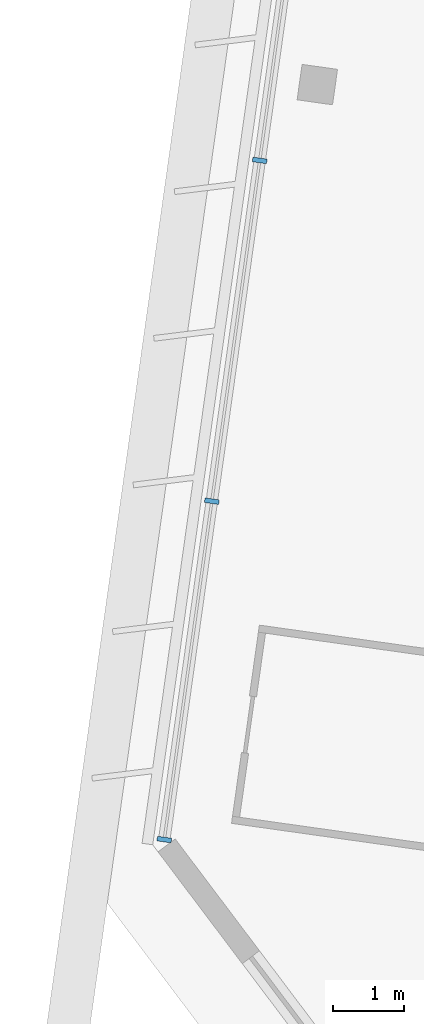
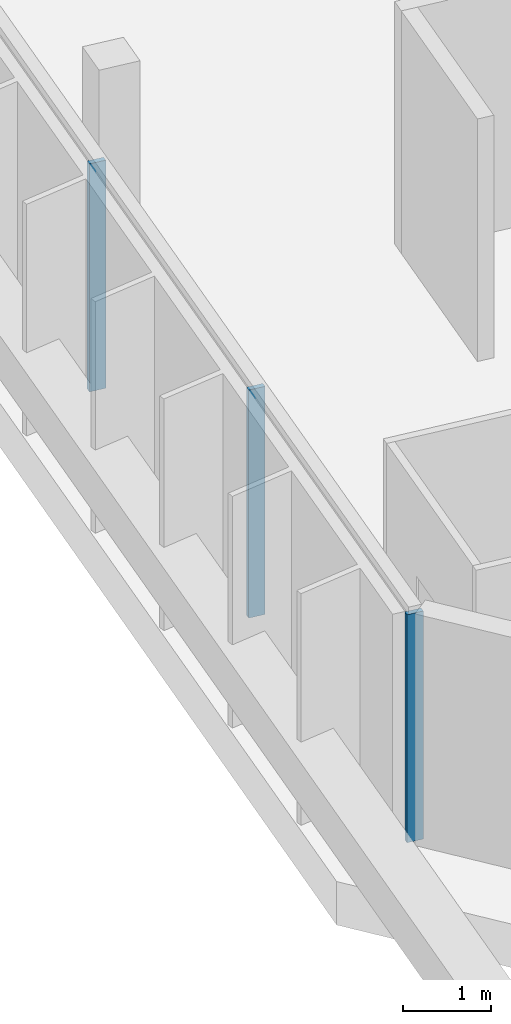
# One storey, part 2 of 26: 3 members, 1 element without a shape of its own.
"""IFC4 building model written with IfcOpenShell, lengths in metres."""

from ifc_helpers import new_model, si_unit, direction, frame, origin, origin_2d, place, context, subcontext, project, spatial, rectangle, extrude, material, material_profile, profile_set, type_object, element, aggregate, save


model = new_model("IFC4")

# Units and contexts
model_context = context("Model", 3, precision=1e-05, world=origin(), true_north=direction((0.0, 1.0)))
body_context = subcontext(model_context, "Body", "Model", "MODEL_VIEW")
ifc_project = project(units=[si_unit("LENGTHUNIT", "METRE"), si_unit("AREAUNIT", "SQUARE_METRE"), si_unit("VOLUMEUNIT", "CUBIC_METRE"), si_unit("PLANEANGLEUNIT", "RADIAN"), si_unit("MASSUNIT", "GRAM", prefix="KILO")], contexts=[model_context])

# Site, building, storey
site_placement = place(None, origin())
site = spatial("IfcSite", under=ifc_project, at=site_placement, CompositionType="ELEMENT")
building_placement = place(site_placement, origin())
building = spatial("IfcBuilding", under=site, at=building_placement, Name="Mirante Cascada Hotel Towers", CompositionType="ELEMENT")
storey_placement = place(building_placement, frame((0.0, 0.0, 228.0)))
storey = spatial("IfcBuildingStorey", under=building, at=storey_placement, Name="L54", CompositionType="ELEMENT", Elevation=228.0)

# Curtain wall, members
ifc_material_1 = material(Name="Aluminium mullion and transom frame with clear laminated glass", Category="aluminium")
curtain_wall_type = type_object("IfcCurtainWallType", Name="End ribbon curtain wall ECW2", PredefinedType="NOTDEFINED", material=ifc_material_1)
curtain_wall_placement = place(storey_placement, origin())
curtain_wall = element("IfcCurtainWall", 1, at=curtain_wall_placement, inside=storey, type_object=curtain_wall_type, Name="Outer end wall T1 L54", PredefinedType="NOTDEFINED")
ifc_material_2 = material(Name="Anodised aluminium extrusion", Category="aluminium")
ifc_material_profile = material_profile(ifc_material_2, rectangle(XDim=0.2, YDim=0.065, at=origin_2d()), Name="ECW2 MULLION 65x200")
ifc_profile_set = profile_set([ifc_material_profile], Name="Anodised aluminium extrusion")
member_type = type_object("IfcMemberType", Name="ECW2 mullion 65x200", PredefinedType="MULLION", material=ifc_profile_set)
member_1_placement = place(storey_placement, frame((-76.4184, -10.0233, 0.1), z_axis=(0.0, 0.0, 1.0), x_axis=(-0.9902681, 0.1391731, 0.0)))
member_1 = element("IfcMember", 2, at=member_1_placement, type_object=member_type, Name="ECW2 mullion 1", PredefinedType="MULLION", context=body_context, shape_type="SweptSolid", body=[
    extrude(rectangle(XDim=0.2, YDim=0.065, at=origin_2d()), origin(), (0.0, 0.0, 1.0), 3.15),
])
member_2_placement = place(storey_placement, frame((-75.7531, -5.2897, 0.1), z_axis=(0.0, 0.0, 1.0), x_axis=(-0.9902681, 0.1391731, 0.0)))
member_2 = element("IfcMember", 3, at=member_2_placement, type_object=member_type, Name="ECW2 mullion 2", PredefinedType="MULLION", context=body_context, shape_type="SweptSolid", body=[
    extrude(rectangle(XDim=0.2, YDim=0.065, at=origin_2d()), origin(), (0.0, 0.0, 1.0), 3.15),
])
member_3_placement = place(storey_placement, frame((-75.0833, -0.5239, 0.1), z_axis=(0.0, 0.0, 1.0), x_axis=(-0.9902681, 0.1391731, 0.0)))
member_3 = element("IfcMember", 4, at=member_3_placement, type_object=member_type, Name="ECW2 mullion 3", PredefinedType="MULLION", context=body_context, shape_type="SweptSolid", body=[
    extrude(rectangle(XDim=0.2, YDim=0.065, at=origin_2d()), origin(), (0.0, 0.0, 1.0), 3.15),
])
aggregate(curtain_wall, [member_1, member_2, member_3])

save(model, "model.ifc")
